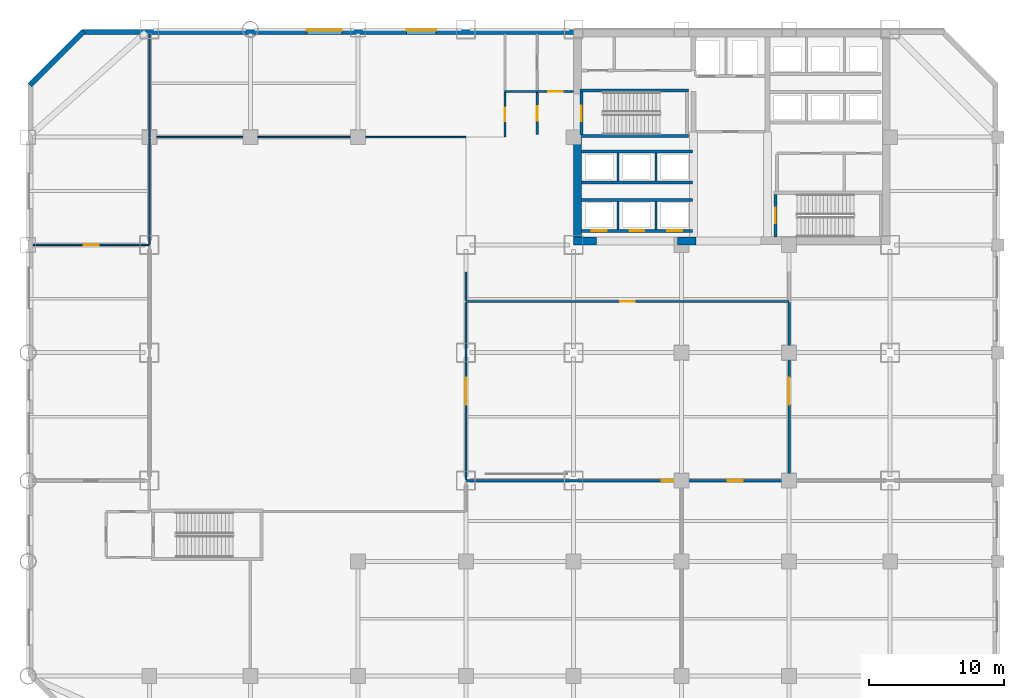
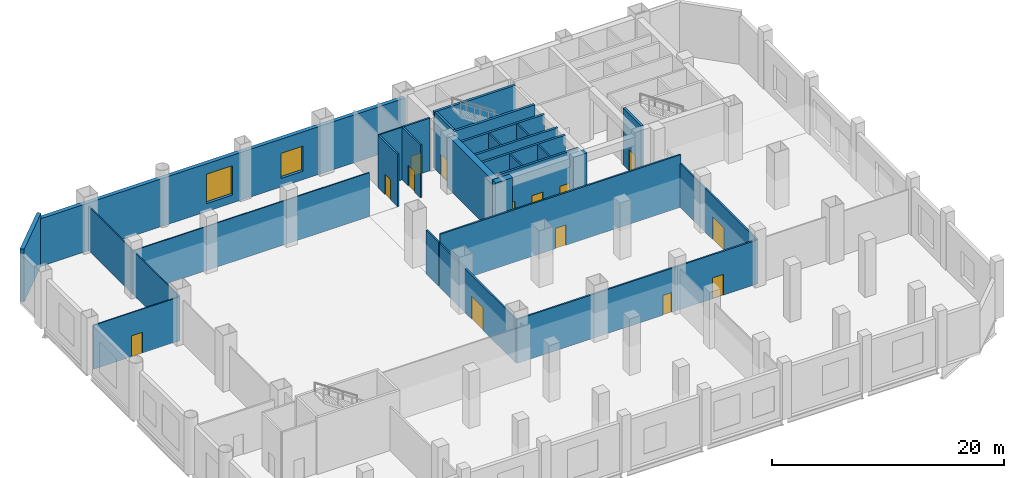
# One storey, part 5 of 11: 31 walls, 14 doors, 2 windows, 16 openings.
"""IFC4 building model written with IfcOpenShell, lengths in metres."""

from ifc_helpers import new_model, si_unit, direction, frame, frame_2d, origin, place, context, subcontext, project, spatial, rectangle, extrude, material, layer, layer_set, type_object, element, fill, save


model = new_model("IFC4")

# Units and contexts
model_context = context("Model", 3, precision=1e-05, world=origin(), true_north=direction((0.0, 1.0)))
body_context = subcontext(model_context, "Body", "Model", "MODEL_VIEW")
ifc_project = project(units=[si_unit("LENGTHUNIT", "METRE"), si_unit("AREAUNIT", "SQUARE_METRE"), si_unit("VOLUMEUNIT", "CUBIC_METRE"), si_unit("PLANEANGLEUNIT", "RADIAN"), si_unit("MASSUNIT", "GRAM", prefix="KILO")], contexts=[model_context])

# Site, building, storey
site_placement = place(None, origin())
site = spatial("IfcSite", under=ifc_project, at=site_placement, CompositionType="ELEMENT")
building_placement = place(site_placement, origin())
building = spatial("IfcBuilding", under=site, at=building_placement, Name="Qianrong Seaharbour Tower", CompositionType="ELEMENT")
storey_placement = place(building_placement, frame((0.0, 0.0, 11.39990234375)))
storey = spatial("IfcBuildingStorey", under=building, at=storey_placement, Name="L03", CompositionType="ELEMENT", Elevation=11.39990234375)

# Walls
ifc_material_1 = material(Name="Concrete C70/85", Category="concrete")
ifc_layer_1 = layer(ifc_material_1, 0.580078125)
ifc_layer_set_1 = layer_set([ifc_layer_1], Name="Concrete C70/85")
wall_type_1 = type_object("IfcWallType", Name="WALL-CORE-580", PredefinedType="SHEAR", material=ifc_layer_set_1)
wall_1_placement = place(storey_placement, frame((40.7900390625, 36.580078125, 0.0), z_axis=(0.0, 0.0, 1.0), x_axis=(0.0, 1.0, 0.0)))
element("IfcWall", 1, at=wall_1_placement, inside=storey, type_object=wall_type_1, Name="L03 West Core Shear Wall South", PredefinedType="SHEAR", context=body_context, shape_type="SweptSolid", body=[
    extrude(rectangle(XDim=7.81982421875, YDim=0.580078125, at=frame_2d((3.909912109375, 0.0))), origin(), (0.0, 0.0, 1.0), 5.550048828125),
])
wall_2_placement = place(storey_placement, frame((40.5, 36.2900390625, 0.0), z_axis=(0.0, 0.0, 1.0), x_axis=(1.0, 0.0, 0.0)))
element("IfcWall", 2, at=wall_2_placement, inside=storey, type_object=wall_type_1, Name="L03 South Core Shear Wall S1", PredefinedType="SHEAR", context=body_context, shape_type="SweptSolid", body=[
    extrude(rectangle(XDim=1.699951171875, YDim=0.580078125, at=frame_2d((0.85009765625, 0.0))), origin(), (0.0, 0.0, 1.0), 5.550048828125),
])
wall_3_placement = place(storey_placement, frame((48.199951171875, 36.2900390625, 0.0), z_axis=(0.0, 0.0, 1.0), x_axis=(1.0, 0.0, 0.0)))
element("IfcWall", 3, at=wall_3_placement, inside=storey, type_object=wall_type_1, Name="L03 South Core Shear Wall S2", PredefinedType="SHEAR", context=body_context, shape_type="SweptSolid", body=[
    extrude(rectangle(XDim=1.400146484375, YDim=0.580078125, at=frame_2d((0.7001953125, 0.0))), origin(), (0.0, 0.0, 1.0), 5.550048828125),
])

# Wall, opening, door
ifc_material_2 = material(Name="Fire-rated acoustic gypsum board partition")
ifc_layer_2 = layer(ifc_material_2, 0.1650390625)
ifc_layer_set_2 = layer_set([ifc_layer_2], Name="Fire-rated acoustic gypsum board partition")
wall_type_2 = type_object("IfcWallType", Name="WALL-CORR-PART-165", PredefinedType="PARTITIONING", material=ifc_layer_set_2)
wall_4_placement = place(storey_placement, frame((37.800048828125, 47.39990234375, 0.0), z_axis=(0.0, 0.0, 1.0), x_axis=(1.0, 0.0, 0.0)))
wall_4 = element("IfcWall", 4, at=wall_4_placement, inside=storey, type_object=wall_type_2, Name="L03 Interior Partition Wall 001", PredefinedType="PARTITIONING", context=body_context, shape_type="SweptSolid", body=[
    extrude(rectangle(XDim=2.699951171875, YDim=0.1650390625, at=frame_2d((1.35009765625, 0.0))), origin(), (0.0, 0.0, 1.0), 5.550048828125),
])
opening_1_placement = place(wall_4_placement, frame((0.824951171875, 0.0, 0.0)))
opening_1 = element("IfcOpeningElement", 5, at=opening_1_placement, cuts=wall_4, Name="Opening DC-01", PredefinedType="OPENING", context=body_context, shape_type="SweptSolid", body=[
    extrude(rectangle(XDim=1.050048828125, YDim=2.14990234375, at=frame_2d((0.52490234375, 1.074951171875))), frame((0.0, 0.092529296875, 0.0), z_axis=(0.0, -1.0, 0.0), x_axis=(1.0, 0.0, 0.0)), (0.0, 0.0, 1.0), 0.18505859375),
])
ifc_material_3 = material(Name="Acoustic timber and galvanized steel fire door assembly", Category="steel")
door_type_1 = type_object("IfcDoorType", Name="DOOR-CORR-FD60-1050x2150", OperationType="NOTDEFINED", PredefinedType="DOOR", material=ifc_material_3)
door_1_placement = place(opening_1_placement, origin())
door_1 = element("IfcDoor", 6, at=door_1_placement, inside=storey, type_object=door_type_1, Name="L03 Smokeproof Stair Vestibule ST-1 Door", OperationType="SINGLE_SWING_LEFT", OverallHeight=2.14990234375, OverallWidth=1.050048828125, PredefinedType="DOOR", context=body_context, shape_type="SweptSolid", body=[
    extrude(rectangle(XDim=1.050048828125, YDim=2.14990234375, at=frame_2d((0.52490234375, 1.074951171875))), frame((0.0, 0.02490234375, 0.0), z_axis=(0.0, -1.0, 0.0), x_axis=(1.0, 0.0, 0.0)), (0.0, 0.0, 1.0), 0.050048828125),
])
fill(opening_1, door_1)

wall_5_placement = place(storey_placement, frame((37.800048828125, 44.199951171875, 0.0), z_axis=(0.0, 0.0, 1.0), x_axis=(0.0, 1.0, 0.0)))
wall_5 = element("IfcWall", 7, at=wall_5_placement, inside=storey, type_object=wall_type_2, Name="L03 Interior Partition Wall 002", PredefinedType="PARTITIONING", context=body_context, shape_type="SweptSolid", body=[
    extrude(rectangle(XDim=3.12548828125, YDim=0.1650390625, at=frame_2d((1.562744140625, 0.0))), origin(), (0.0, 0.0, 1.0), 5.550048828125),
])
opening_2_placement = place(wall_5_placement, frame((1.03759765625, 0.0, 0.0)))
opening_2 = element("IfcOpeningElement", 8, at=opening_2_placement, cuts=wall_5, Name="Opening DC-01", PredefinedType="OPENING", context=body_context, shape_type="SweptSolid", body=[
    extrude(rectangle(XDim=1.050048828125, YDim=2.14990234375, at=frame_2d((0.52490234375, 1.074951171875))), frame((0.0, 0.092529296875, 0.0), z_axis=(0.0, -1.0, 0.0), x_axis=(1.0, 0.0, 0.0)), (0.0, 0.0, 1.0), 0.18505859375),
])
door_2_placement = place(opening_2_placement, origin())
door_2 = element("IfcDoor", 9, at=door_2_placement, inside=storey, type_object=door_type_1, Name="L03 Smokeproof Stair Vestibule ST-1 Door", OperationType="SINGLE_SWING_RIGHT", OverallHeight=2.14990234375, OverallWidth=1.050048828125, PredefinedType="DOOR", context=body_context, shape_type="SweptSolid", body=[
    extrude(rectangle(XDim=1.050048828125, YDim=2.14990234375, at=frame_2d((0.52490234375, 1.074951171875))), frame((0.0, 0.02490234375, 0.0), z_axis=(0.0, -1.0, 0.0), x_axis=(1.0, 0.0, 0.0)), (0.0, 0.0, 1.0), 0.050048828125),
])
fill(opening_2, door_2)

# Wall
wall_6_placement = place(storey_placement, frame((32.5, 31.87451171875, 0.0), z_axis=(0.0, 0.0, 1.0), x_axis=(0.0, 1.0, 0.0)))
element("IfcWall", 10, at=wall_6_placement, inside=storey, type_object=wall_type_2, Name="L03 Interior Partition Wall 017", PredefinedType="PARTITIONING", context=body_context, shape_type="SweptSolid", body=[
    extrude(rectangle(XDim=2.12548828125, YDim=0.1650390625, at=frame_2d((1.062744140625, 0.0))), origin(), (0.0, 0.0, 1.0), 4.64208984375),
])

# Wall, opening, door
wall_7_placement = place(storey_placement, frame((56.5, 31.800048828125, 0.0), z_axis=(0.0, 0.0, 1.0), x_axis=(-1.0, 0.0, 0.0)))
wall_7 = element("IfcWall", 11, at=wall_7_placement, inside=storey, type_object=wall_type_2, Name="L03 Interior Partition Wall 018", PredefinedType="PARTITIONING", context=body_context, shape_type="SweptSolid", body=[
    extrude(rectangle(XDim=24.0, YDim=0.1650390625, at=frame_2d((12.0, 0.0))), origin(), (0.0, 0.0, 1.0), 5.550048828125),
])
opening_3_placement = place(wall_7_placement, frame((11.47509765625, 0.0, 0.0)))
opening_3 = element("IfcOpeningElement", 12, at=opening_3_placement, cuts=wall_7, Name="Opening DC-01", PredefinedType="OPENING", context=body_context, shape_type="SweptSolid", body=[
    extrude(rectangle(XDim=1.050048828125, YDim=2.14990234375, at=frame_2d((0.52490234375, 1.074951171875))), frame((0.0, 0.092529296875, 0.0), z_axis=(0.0, -1.0, 0.0), x_axis=(1.0, 0.0, 0.0)), (0.0, 0.0, 1.0), 0.18505859375),
])
door_3_placement = place(opening_3_placement, origin())
door_3 = element("IfcDoor", 13, at=door_3_placement, inside=storey, type_object=door_type_1, Name="L03 Auditorium Core Corridor Door", OperationType="SINGLE_SWING_LEFT", OverallHeight=2.14990234375, OverallWidth=1.050048828125, PredefinedType="DOOR", context=body_context, shape_type="SweptSolid", body=[
    extrude(rectangle(XDim=1.050048828125, YDim=2.14990234375, at=frame_2d((0.52490234375, 1.074951171875))), frame((0.0, 0.02490234375, 0.0), z_axis=(0.0, -1.0, 0.0), x_axis=(1.0, 0.0, 0.0)), (0.0, 0.0, 1.0), 0.050048828125),
])
fill(opening_3, door_3)

wall_8_placement = place(storey_placement, frame((35.39990234375, 44.0, 0.0), z_axis=(0.0, 0.0, 1.0), x_axis=(0.0, 1.0, 0.0)))
wall_8 = element("IfcWall", 14, at=wall_8_placement, inside=storey, type_object=wall_type_2, Name="L03 Interior Partition Wall 020", PredefinedType="PARTITIONING", context=body_context, shape_type="SweptSolid", body=[
    extrude(rectangle(XDim=3.343017578125, YDim=0.1650390625, at=frame_2d((1.67138671875, 0.0))), origin(), (0.0, 0.0, 1.0), 5.550048828125),
])
opening_4_placement = place(wall_8_placement, frame((1.17138671875, 0.0, 0.0)))
opening_4 = element("IfcOpeningElement", 15, at=opening_4_placement, cuts=wall_8, Name="Opening DO-01", PredefinedType="OPENING", context=body_context, shape_type="SweptSolid", body=[
    extrude(rectangle(XDim=1.0, YDim=2.14990234375, at=frame_2d((0.5, 1.074951171875))), frame((0.0, 0.092529296875, 0.0), z_axis=(0.0, -1.0, 0.0), x_axis=(1.0, 0.0, 0.0)), (0.0, 0.0, 1.0), 0.18505859375),
])
door_type_2 = type_object("IfcDoorType", Name="DOOR-OFFICE-1000x2150", OperationType="NOTDEFINED", PredefinedType="DOOR", material=ifc_material_3)
door_4_placement = place(opening_4_placement, origin())
door_4 = element("IfcDoor", 16, at=door_4_placement, inside=storey, type_object=door_type_2, Name="L03 Auditorium Backstage Lounge Door", OperationType="SINGLE_SWING_RIGHT", OverallHeight=2.14990234375, OverallWidth=1.0, PredefinedType="DOOR", context=body_context, shape_type="SweptSolid", body=[
    extrude(rectangle(XDim=1.0, YDim=2.14990234375, at=frame_2d((0.5, 1.074951171875))), frame((0.0, 0.02490234375, 0.0), z_axis=(0.0, -1.0, 0.0), x_axis=(1.0, 0.0, 0.0)), (0.0, 0.0, 1.0), 0.050048828125),
])
fill(opening_4, door_4)

wall_9_placement = place(storey_placement, frame((32.5, 31.7255859375, 0.0), z_axis=(0.0, 0.0, 1.0), x_axis=(0.0, -1.0, 0.0)))
wall_9 = element("IfcWall", 17, at=wall_9_placement, inside=storey, type_object=wall_type_2, Name="L03 Interior Partition Wall 021", PredefinedType="PARTITIONING", context=body_context, shape_type="SweptSolid", body=[
    extrude(rectangle(XDim=13.151123046875, YDim=0.1650390625, at=frame_2d((6.57568359375, 0.0))), origin(), (0.0, 0.0, 1.0), 4.64208984375),
])
opening_5_placement = place(wall_9_placement, frame((5.575439453125, 0.0, 0.0)))
opening_5 = element("IfcOpeningElement", 18, at=opening_5_placement, cuts=wall_9, Name="Opening DA-01", PredefinedType="OPENING", context=body_context, shape_type="SweptSolid", body=[
    extrude(rectangle(XDim=2.0, YDim=2.39990234375, at=frame_2d((1.0, 1.199951171875))), frame((0.0, 0.092529296875, 0.0), z_axis=(0.0, -1.0, 0.0), x_axis=(1.0, 0.0, 0.0)), (0.0, 0.0, 1.0), 0.18505859375),
])
door_type_3 = type_object("IfcDoorType", Name="DOOR-AUD-PAIR-2000x2400", OperationType="DOUBLE_DOOR_SINGLE_SWING", PredefinedType="DOOR", material=ifc_material_3)
door_5_placement = place(opening_5_placement, origin())
door_5 = element("IfcDoor", 19, at=door_5_placement, inside=storey, type_object=door_type_3, Name="L03 Corporate Auditorium Door", OperationType="DOUBLE_DOOR_SINGLE_SWING", OverallHeight=2.39990234375, OverallWidth=2.0, PredefinedType="DOOR", context=body_context, shape_type="SweptSolid", body=[
    extrude(rectangle(XDim=2.0, YDim=2.39990234375, at=frame_2d((1.0, 1.199951171875))), frame((0.0, 0.02490234375, 0.0), z_axis=(0.0, -1.0, 0.0), x_axis=(1.0, 0.0, 0.0)), (0.0, 0.0, 1.0), 0.050048828125),
])
fill(opening_5, door_5)

wall_10_placement = place(storey_placement, frame((56.5, 31.7255859375, 0.0), z_axis=(0.0, 0.0, 1.0), x_axis=(0.0, -1.0, 0.0)))
wall_10 = element("IfcWall", 20, at=wall_10_placement, inside=storey, type_object=wall_type_2, Name="L03 Interior Partition Wall 028", PredefinedType="PARTITIONING", context=body_context, shape_type="SweptSolid", body=[
    extrude(rectangle(XDim=13.151123046875, YDim=0.1650390625, at=frame_2d((6.57568359375, 0.0))), origin(), (0.0, 0.0, 1.0), 4.64208984375),
])
opening_6_placement = place(wall_10_placement, frame((5.575439453125, 0.0, 0.0)))
opening_6 = element("IfcOpeningElement", 21, at=opening_6_placement, cuts=wall_10, Name="Opening DA-01", PredefinedType="OPENING", context=body_context, shape_type="SweptSolid", body=[
    extrude(rectangle(XDim=2.0, YDim=2.39990234375, at=frame_2d((1.0, 1.199951171875))), frame((0.0, 0.092529296875, 0.0), z_axis=(0.0, -1.0, 0.0), x_axis=(1.0, 0.0, 0.0)), (0.0, 0.0, 1.0), 0.18505859375),
])
door_6_placement = place(opening_6_placement, origin())
door_6 = element("IfcDoor", 22, at=door_6_placement, inside=storey, type_object=door_type_3, Name="L03 Harbour Symposium Gallery Door", OperationType="DOUBLE_DOOR_SINGLE_SWING", OverallHeight=2.39990234375, OverallWidth=2.0, PredefinedType="DOOR", context=body_context, shape_type="SweptSolid", body=[
    extrude(rectangle(XDim=2.0, YDim=2.39990234375, at=frame_2d((1.0, 1.199951171875))), frame((0.0, 0.02490234375, 0.0), z_axis=(0.0, -1.0, 0.0), x_axis=(1.0, 0.0, 0.0)), (0.0, 0.0, 1.0), 0.050048828125),
])
fill(opening_6, door_6)

wall_11_placement = place(storey_placement, frame((48.5, 18.5, 0.0), z_axis=(0.0, 0.0, 1.0), x_axis=(-1.0, 0.0, 0.0)))
wall_11 = element("IfcWall", 23, at=wall_11_placement, inside=storey, type_object=wall_type_2, Name="L03 Interior Partition Wall 029", PredefinedType="PARTITIONING", context=body_context, shape_type="SweptSolid", body=[
    extrude(rectangle(XDim=16.0, YDim=0.1650390625, at=frame_2d((8.0, 0.0))), origin(), (0.0, 0.0, 1.0), 4.64208984375),
])
opening_7_placement = place(wall_11_placement, frame((0.61474609375, 0.0, 0.0)))
opening_7 = element("IfcOpeningElement", 24, at=opening_7_placement, cuts=wall_11, Name="Opening DU-01", PredefinedType="OPENING", context=body_context, shape_type="SweptSolid", body=[
    extrude(rectangle(XDim=0.860107421875, YDim=2.10009765625, at=frame_2d((0.43017578125, 1.050048828125))), frame((0.0, 0.092529296875, 0.0), z_axis=(0.0, -1.0, 0.0), x_axis=(1.0, 0.0, 0.0)), (0.0, 0.0, 1.0), 0.18505859375),
])
door_type_4 = type_object("IfcDoorType", Name="DOOR-UTIL-860x2100", OperationType="NOTDEFINED", PredefinedType="DOOR", material=ifc_material_3)
door_7_placement = place(opening_7_placement, origin())
door_7 = element("IfcDoor", 25, at=door_7_placement, inside=storey, type_object=door_type_4, Name="L03 Reception Salon Door", OperationType="SINGLE_SWING_LEFT", OverallHeight=2.10009765625, OverallWidth=0.860107421875, PredefinedType="DOOR", context=body_context, shape_type="SweptSolid", body=[
    extrude(rectangle(XDim=0.860107421875, YDim=2.10009765625, at=frame_2d((0.43017578125, 1.050048828125))), frame((0.0, 0.02490234375, 0.0), z_axis=(0.0, -1.0, 0.0), x_axis=(1.0, 0.0, 0.0)), (0.0, 0.0, 1.0), 0.050048828125),
])
fill(opening_7, door_7)

wall_12_placement = place(storey_placement, frame((56.5, 18.5, 0.0), z_axis=(0.0, 0.0, 1.0), x_axis=(-1.0, 0.0, 0.0)))
wall_12 = element("IfcWall", 26, at=wall_12_placement, inside=storey, type_object=wall_type_2, Name="L03 Interior Partition Wall 030", PredefinedType="PARTITIONING", context=body_context, shape_type="SweptSolid", body=[
    extrude(rectangle(XDim=8.0, YDim=0.1650390625, at=frame_2d((4.0, 0.0))), origin(), (0.0, 0.0, 1.0), 4.64208984375),
])
opening_8_placement = place(wall_12_placement, frame((3.449951171875, 0.0, 0.0)))
opening_8 = element("IfcOpeningElement", 27, at=opening_8_placement, cuts=wall_12, Name="Opening DM-01", PredefinedType="OPENING", context=body_context, shape_type="SweptSolid", body=[
    extrude(rectangle(XDim=1.10009765625, YDim=2.199951171875, at=frame_2d((0.550048828125, 1.10009765625))), frame((0.0, 0.092529296875, 0.0), z_axis=(0.0, -1.0, 0.0), x_axis=(1.0, 0.0, 0.0)), (0.0, 0.0, 1.0), 0.18505859375),
])
door_type_5 = type_object("IfcDoorType", Name="DOOR-MEET-1100x2200", OperationType="NOTDEFINED", PredefinedType="DOOR", material=ifc_material_3)
door_8_placement = place(opening_8_placement, origin())
door_8 = element("IfcDoor", 28, at=door_8_placement, inside=storey, type_object=door_type_5, Name="L03 Chairman Reception Suite Door", OperationType="SINGLE_SWING_RIGHT", OverallHeight=2.199951171875, OverallWidth=1.10009765625, PredefinedType="DOOR", context=body_context, shape_type="SweptSolid", body=[
    extrude(rectangle(XDim=1.10009765625, YDim=2.199951171875, at=frame_2d((0.550048828125, 1.10009765625))), frame((0.0, 0.02490234375, 0.0), z_axis=(0.0, -1.0, 0.0), x_axis=(1.0, 0.0, 0.0)), (0.0, 0.0, 1.0), 0.050048828125),
])
fill(opening_8, door_8)

# Walls
ifc_material_4 = material(Name="Demountable aluminium-framed acoustic office partition", Category="aluminium")
ifc_layer_3 = layer(ifc_material_4, 0.110107421875)
ifc_layer_set_3 = layer_set([ifc_layer_3], Name="Demountable aluminium-framed acoustic office partition")
wall_type_3 = type_object("IfcWallType", Name="WALL-DEMOUNT-110", PredefinedType="MOVABLE", material=ifc_layer_set_3)
wall_13_placement = place(storey_placement, frame((9.0, 36.047119140625, 0.0), z_axis=(0.0, 0.0, 1.0), x_axis=(0.0, 1.0, 0.0)))
element("IfcWall", 29, at=wall_13_placement, inside=storey, type_object=wall_type_3, Name="L03 Interior Partition Wall 023", PredefinedType="MOVABLE", context=body_context, shape_type="SweptSolid", body=[
    extrude(rectangle(XDim=7.90576171875, YDim=0.110107421875, at=frame_2d((3.952880859375, 0.0))), origin(), (0.0, 0.0, 1.0), 4.64208984375),
])
wall_14_placement = place(storey_placement, frame((9.0, 44.0, 0.0), z_axis=(0.0, 0.0, 1.0), x_axis=(1.0, 0.0, 0.0)))
element("IfcWall", 30, at=wall_14_placement, inside=storey, type_object=wall_type_3, Name="L03 Interior Partition Wall 024", PredefinedType="MOVABLE", context=body_context, shape_type="SweptSolid", body=[
    extrude(rectangle(XDim=23.5, YDim=0.110107421875, at=frame_2d((11.75, 0.0))), origin(), (0.0, 0.0, 1.0), 4.64208984375),
])

# Wall, opening, door
wall_15_placement = place(storey_placement, frame((0.3720703125, 36.0, 0.0), z_axis=(0.0, 0.0, 1.0), x_axis=(1.0, 0.0, 0.0)))
wall_15 = element("IfcWall", 31, at=wall_15_placement, inside=storey, type_object=wall_type_3, Name="L03 Interior Partition Wall 031", PredefinedType="MOVABLE", context=body_context, shape_type="SweptSolid", body=[
    extrude(rectangle(XDim=8.6279296875, YDim=0.110107421875, at=frame_2d((4.31396484375, 0.0))), origin(), (0.0, 0.0, 1.0), 4.64208984375),
])
opening_9_placement = place(wall_15_placement, frame((3.763916015625, 0.0, 0.0)))
opening_9 = element("IfcOpeningElement", 32, at=opening_9_placement, cuts=wall_15, Name="Opening DM-01", PredefinedType="OPENING", context=body_context, shape_type="SweptSolid", body=[
    extrude(rectangle(XDim=1.10009765625, YDim=2.199951171875, at=frame_2d((0.550048828125, 1.10009765625))), frame((0.0, 0.06494140625, 0.0), z_axis=(0.0, -1.0, 0.0), x_axis=(1.0, 0.0, 0.0)), (0.0, 0.0, 1.0), 0.130126953125),
])
door_9_placement = place(opening_9_placement, origin())
door_9 = element("IfcDoor", 33, at=door_9_placement, inside=storey, type_object=door_type_5, Name="L03 Speakers Green Room Door", OperationType="SINGLE_SWING_LEFT", OverallHeight=2.199951171875, OverallWidth=1.10009765625, PredefinedType="DOOR", context=body_context, shape_type="SweptSolid", body=[
    extrude(rectangle(XDim=1.10009765625, YDim=2.199951171875, at=frame_2d((0.550048828125, 1.10009765625))), frame((0.0, 0.02490234375, 0.0), z_axis=(0.0, -1.0, 0.0), x_axis=(1.0, 0.0, 0.0)), (0.0, 0.0, 1.0), 0.050048828125),
])
fill(opening_9, door_9)

# Walls
wall_16_placement = place(storey_placement, frame((9.0, 51.6279296875, 0.0), z_axis=(0.0, 0.0, 1.0), x_axis=(0.0, -1.0, 0.0)))
element("IfcWall", 34, at=wall_16_placement, inside=storey, type_object=wall_type_3, Name="L03 Interior Partition Wall 033", PredefinedType="MOVABLE", context=body_context, shape_type="SweptSolid", body=[
    extrude(rectangle(XDim=7.580810546875, YDim=0.110107421875, at=frame_2d((3.79052734375, 0.0))), origin(), (0.0, 0.0, 1.0), 4.64208984375),
])
ifc_material_5 = material(Name="Natural honed granite dimension stone", Category="masonry")
ifc_layer_4 = layer(ifc_material_5, 0.3798828125)
ifc_layer_set_4 = layer_set([ifc_layer_4], Name="Natural honed granite dimension stone")
wall_type_4 = type_object("IfcWallType", Name="WALL-EXT-GRANITE-380", PredefinedType="SOLIDWALL", material=ifc_layer_set_4)
wall_17_placement = place(storey_placement, frame((0.13427734375, 47.86572265625, 0.0), z_axis=(0.0, 0.0, 1.0), x_axis=(0.707106781187, 0.707106781187, 0.0)))
element("IfcWall", 35, at=wall_17_placement, inside=storey, type_object=wall_type_4, Name="L03 Exterior Masonry Facade Wall E01", PredefinedType="SOLIDWALL", context=body_context, shape_type="SweptSolid", body=[
    extrude(rectangle(XDim=5.65673828125, YDim=0.3798828125, at=frame_2d((2.828369140625, 0.0))), origin(), (0.0, 0.0, 1.0), 5.550048828125),
])

# Wall, openings, windows
wall_18_placement = place(storey_placement, frame((4.0, 51.81005859375, 0.0), z_axis=(0.0, 0.0, 1.0), x_axis=(1.0, 0.0, 0.0)))
wall_18 = element("IfcWall", 36, at=wall_18_placement, inside=storey, type_object=wall_type_4, Name="L03 Exterior Masonry Facade Wall NORTH_WING", PredefinedType="SOLIDWALL", context=body_context, shape_type="SweptSolid", body=[
    extrude(rectangle(XDim=36.52001953125, YDim=0.3798828125, at=frame_2d((18.260009765625, 0.0))), origin(), (0.0, 0.0, 1.0), 5.050048828125),
])
opening_10_placement = place(wall_18_placement, frame((16.699951171875, 0.0, 0.85009765625)))
opening_10 = element("IfcOpeningElement", 37, at=opening_10_placement, cuts=wall_18, Name="Opening WN-11", PredefinedType="OPENING", context=body_context, shape_type="SweptSolid", body=[
    extrude(rectangle(XDim=2.60009765625, YDim=3.10009765625, at=frame_2d((1.300048828125, 1.550048828125))), frame((0.0, 0.199951171875, 0.0), z_axis=(0.0, -1.0, 0.0), x_axis=(1.0, 0.0, 0.0)), (0.0, 0.0, 1.0), 0.39990234375),
])
opening_11_placement = place(wall_18_placement, frame((24.10009765625, 0.0, 0.89990234375)))
opening_11 = element("IfcOpeningElement", 38, at=opening_11_placement, cuts=wall_18, Name="Opening WN-10", PredefinedType="OPENING", context=body_context, shape_type="SweptSolid", body=[
    extrude(rectangle(XDim=2.199951171875, YDim=2.64990234375, at=frame_2d((1.10009765625, 1.324951171875))), frame((0.0, 0.199951171875, 0.0), z_axis=(0.0, -1.0, 0.0), x_axis=(1.0, 0.0, 0.0)), (0.0, 0.0, 1.0), 0.39990234375),
])
ifc_material_6 = material(Name="Insulated low-e double glazing in thermally broken aluminium 6063-T6 frame", Category="aluminium")
window_type_1 = type_object("IfcWindowType", Name="WIN-POD-2600x3100", PartitioningType="TRIPLE_PANEL_VERTICAL", PredefinedType="WINDOW", material=ifc_material_6)
window_1_placement = place(opening_10_placement, origin())
window_1 = element("IfcWindow", 39, at=window_1_placement, inside=storey, type_object=window_type_1, Name="L03 Deep-Set Punched Window 02.05", OverallHeight=3.10009765625, OverallWidth=2.60009765625, PartitioningType="TRIPLE_PANEL_VERTICAL", PredefinedType="WINDOW", context=body_context, shape_type="SweptSolid", body=[
    extrude(rectangle(XDim=2.60009765625, YDim=3.10009765625, at=frame_2d((1.300048828125, 1.550048828125))), frame((0.0, 0.150146484375, 0.0), z_axis=(0.0, -1.0, 0.0), x_axis=(1.0, 0.0, 0.0)), (0.0, 0.0, 1.0), 0.06005859375),
])
fill(opening_10, window_1)
window_type_2 = type_object("IfcWindowType", Name="WIN-PUNCH-2200x2650", PartitioningType="TRIPLE_PANEL_VERTICAL", PredefinedType="WINDOW", material=ifc_material_6)
window_2_placement = place(opening_11_placement, origin())
window_2 = element("IfcWindow", 40, at=window_2_placement, inside=storey, type_object=window_type_2, Name="L03 Deep-Set Punched Window 02.07", OverallHeight=2.64990234375, OverallWidth=2.199951171875, PartitioningType="TRIPLE_PANEL_VERTICAL", PredefinedType="WINDOW", context=body_context, shape_type="SweptSolid", body=[
    extrude(rectangle(XDim=2.199951171875, YDim=2.64990234375, at=frame_2d((1.10009765625, 1.324951171875))), frame((0.0, 0.150146484375, 0.0), z_axis=(0.0, -1.0, 0.0), x_axis=(1.0, 0.0, 0.0)), (0.0, 0.0, 1.0), 0.06005859375),
])
fill(opening_11, window_2)

# Walls
ifc_material_7 = material(Name="Fire-rated gypsum board on steel studs", Category="steel")
ifc_layer_5 = layer(ifc_material_7, 0.14990234375)
ifc_layer_set_5 = layer_set([ifc_layer_5], Name="Fire-rated gypsum board on steel studs")
wall_type_5 = type_object("IfcWallType", Name="WALL-SHAFT-DIV-150", PredefinedType="PARTITIONING", material=ifc_layer_set_5)
for number, where, z_axis, x_axis, name in (
    (41, (43.800048828125, 37.159912109375, 0.0), (0.0, 0.0, 1.0), (0.0, 1.0, 0.0), "L03 P1 Lift Hoistway Divider 2"),
    (42, (46.60009765625, 37.159912109375, 0.0), (0.0, 0.0, 1.0), (0.0, 1.0, 0.0), "L03 P1 Lift Hoistway Divider 3"),
    (43, (43.800048828125, 40.760009765625, 0.0), (0.0, 0.0, 1.0), (0.0, 1.0, 0.0), "L03 P2 Lift Hoistway Divider 2"),
    (44, (46.60009765625, 40.760009765625, 0.0), (0.0, 0.0, 1.0), (0.0, 1.0, 0.0), "L03 P2 Lift Hoistway Divider 3"),
):
    element("IfcWall", number, at=place(storey_placement, frame(where, z_axis=z_axis, x_axis=x_axis)), inside=storey, type_object=wall_type_5, Name=name, PredefinedType="PARTITIONING", context=body_context, shape_type="SweptSolid", body=[
        extrude(rectangle(XDim=2.080078125, YDim=0.14990234375, at=frame_2d((1.0400390625, 0.0))), origin(), (0.0, 0.0, 1.0), 5.550048828125),
    ])

# Wall, openings, doors
ifc_layer_6 = layer(ifc_material_7, 0.219970703125)
ifc_layer_set_6 = layer_set([ifc_layer_6], Name="Fire-rated gypsum board on steel studs")
wall_type_6 = type_object("IfcWallType", Name="WALL-SHAFT-GYP220", PredefinedType="PARTITIONING", material=ifc_layer_set_6)
wall_19_placement = place(storey_placement, frame((49.320068359375, 37.050048828125, 0.0), z_axis=(0.0, 0.0, 1.0), x_axis=(-1.0, 0.0, 0.0)))
wall_19 = element("IfcWall", 45, at=wall_19_placement, inside=storey, type_object=wall_type_6, Name="L03 P1 Lift Hoistway Front Wall", PredefinedType="PARTITIONING", context=body_context, shape_type="SweptSolid", body=[
    extrude(rectangle(XDim=8.239990234375, YDim=0.219970703125, at=frame_2d((4.1201171875, 0.0))), origin(), (0.0, 0.0, 1.0), 5.550048828125),
])
opening_12_placement = place(wall_19_placement, frame((6.3701171875, 0.0, 0.0)))
opening_12 = element("IfcOpeningElement", 46, at=opening_12_placement, cuts=wall_19, Name="Opening LD-02", PredefinedType="OPENING", context=body_context, shape_type="SweptSolid", body=[
    extrude(rectangle(XDim=1.10009765625, YDim=2.199951171875, at=frame_2d((0.550048828125, 1.10009765625))), frame((0.0, 0.1201171875, 0.0), z_axis=(0.0, -1.0, 0.0), x_axis=(1.0, 0.0, 0.0)), (0.0, 0.0, 1.0), 0.239990234375),
])
opening_13_placement = place(wall_19_placement, frame((3.570068359375, 0.0, 0.0)))
opening_13 = element("IfcOpeningElement", 47, at=opening_13_placement, cuts=wall_19, Name="Opening LD-02", PredefinedType="OPENING", context=body_context, shape_type="SweptSolid", body=[
    extrude(rectangle(XDim=1.10009765625, YDim=2.199951171875, at=frame_2d((0.550048828125, 1.10009765625))), frame((0.0, 0.1201171875, 0.0), z_axis=(0.0, -1.0, 0.0), x_axis=(1.0, 0.0, 0.0)), (0.0, 0.0, 1.0), 0.239990234375),
])
opening_14_placement = place(wall_19_placement, frame((0.77001953125, 0.0, 0.0)))
opening_14 = element("IfcOpeningElement", 48, at=opening_14_placement, cuts=wall_19, Name="Opening LD-02", PredefinedType="OPENING", context=body_context, shape_type="SweptSolid", body=[
    extrude(rectangle(XDim=1.10009765625, YDim=2.199951171875, at=frame_2d((0.550048828125, 1.10009765625))), frame((0.0, 0.1201171875, 0.0), z_axis=(0.0, -1.0, 0.0), x_axis=(1.0, 0.0, 0.0)), (0.0, 0.0, 1.0), 0.239990234375),
])
ifc_material_8 = material(Name="Stainless steel SUS316L bi-parting lift landing door", Category="steel")
door_type_6 = type_object("IfcDoorType", Name="DOOR-LIFT-PASS-1100x2200", OperationType="DOUBLE_DOOR_SLIDING", PredefinedType="DOOR", material=ifc_material_8)
door_10_placement = place(opening_12_placement, origin())
door_10 = element("IfcDoor", 49, at=door_10_placement, inside=storey, type_object=door_type_6, Name="L03 PL-1A Lift Landing Door", OperationType="DOUBLE_DOOR_SLIDING", OverallHeight=2.199951171875, OverallWidth=1.10009765625, PredefinedType="DOOR", context=body_context, shape_type="SweptSolid", body=[
    extrude(rectangle(XDim=1.10009765625, YDim=2.199951171875, at=frame_2d((0.550048828125, 1.10009765625))), frame((0.0, 0.02490234375, 0.0), z_axis=(0.0, -1.0, 0.0), x_axis=(1.0, 0.0, 0.0)), (0.0, 0.0, 1.0), 0.050048828125),
])
fill(opening_12, door_10)
door_11_placement = place(opening_13_placement, origin())
door_11 = element("IfcDoor", 50, at=door_11_placement, inside=storey, type_object=door_type_6, Name="L03 PL-1B Lift Landing Door", OperationType="DOUBLE_DOOR_SLIDING", OverallHeight=2.199951171875, OverallWidth=1.10009765625, PredefinedType="DOOR", context=body_context, shape_type="SweptSolid", body=[
    extrude(rectangle(XDim=1.10009765625, YDim=2.199951171875, at=frame_2d((0.550048828125, 1.10009765625))), frame((0.0, 0.02490234375, 0.0), z_axis=(0.0, -1.0, 0.0), x_axis=(1.0, 0.0, 0.0)), (0.0, 0.0, 1.0), 0.050048828125),
])
fill(opening_13, door_11)
door_12_placement = place(opening_14_placement, origin())
door_12 = element("IfcDoor", 51, at=door_12_placement, inside=storey, type_object=door_type_6, Name="L03 PL-1C Lift Landing Door", OperationType="DOUBLE_DOOR_SLIDING", OverallHeight=2.199951171875, OverallWidth=1.10009765625, PredefinedType="DOOR", context=body_context, shape_type="SweptSolid", body=[
    extrude(rectangle(XDim=1.10009765625, YDim=2.199951171875, at=frame_2d((0.550048828125, 1.10009765625))), frame((0.0, 0.02490234375, 0.0), z_axis=(0.0, -1.0, 0.0), x_axis=(1.0, 0.0, 0.0)), (0.0, 0.0, 1.0), 0.050048828125),
])
fill(opening_14, door_12)

# Walls
for number, where, z_axis, x_axis, name in (
    (52, (41.080078125, 39.35009765625, 0.0), (0.0, 0.0, 1.0), (1.0, 0.0, 0.0), "L03 P1 Lift Hoistway Back Wall"),
    (53, (49.320068359375, 40.64990234375, 0.0), (0.0, 0.0, 1.0), (-1.0, 0.0, 0.0), "L03 P2 Lift Hoistway Front Wall"),
    (54, (41.080078125, 42.949951171875, 0.0), (0.0, 0.0, 1.0), (1.0, 0.0, 0.0), "L03 P2 Lift Hoistway Back Wall"),
):
    element("IfcWall", number, at=place(storey_placement, frame(where, z_axis=z_axis, x_axis=x_axis)), inside=storey, type_object=wall_type_6, Name=name, PredefinedType="PARTITIONING", context=body_context, shape_type="SweptSolid", body=[
        extrude(rectangle(XDim=8.239990234375, YDim=0.219970703125, at=frame_2d((4.1201171875, 0.0))), origin(), (0.0, 0.0, 1.0), 5.550048828125),
    ])
ifc_material_9 = material(Name="Concrete C50/60", Category="concrete")
ifc_layer_7 = layer(ifc_material_9, 0.239990234375)
ifc_layer_set_7 = layer_set([ifc_layer_7], Name="Concrete C50/60")
wall_type_7 = type_object("IfcWallType", Name="WALL-SHAFT-RC240", PredefinedType="SOLIDWALL", material=ifc_layer_set_7)
for number, where, z_axis, x_axis, name in (
    (55, (40.9599609375, 47.469970703125, 0.0), (0.0, 0.0, 1.0), (1.0, 0.0, 0.0), "L03 ST-1 Structural Stair Core Wall N"),
    (56, (49.0400390625, 44.080078125, 0.0), (0.0, 0.0, 1.0), (-1.0, 0.0, 0.0), "L03 ST-1 Structural Stair Core Wall S"),
):
    element("IfcWall", number, at=place(storey_placement, frame(where, z_axis=z_axis, x_axis=x_axis)), inside=storey, type_object=wall_type_7, Name=name, PredefinedType="SOLIDWALL", context=body_context, shape_type="SweptSolid", body=[
        extrude(rectangle(XDim=8.080078125, YDim=0.239990234375, at=frame_2d((4.0400390625, 0.0))), origin(), (0.0, 0.0, 1.0), 6.0),
    ])

# Wall, opening, door
wall_20_placement = place(storey_placement, frame((41.080078125, 47.35009765625, 0.0), z_axis=(0.0, 0.0, 1.0), x_axis=(0.0, -1.0, 0.0)))
wall_20 = element("IfcWall", 57, at=wall_20_placement, inside=storey, type_object=wall_type_7, Name="L03 ST-1 Structural Stair Core Wall W", PredefinedType="SOLIDWALL", context=body_context, shape_type="SweptSolid", body=[
    extrude(rectangle(XDim=3.150146484375, YDim=0.239990234375, at=frame_2d((1.5751953125, 0.0))), origin(), (0.0, 0.0, 1.0), 6.0),
])
opening_15_placement = place(wall_20_placement, frame((1.0, 0.0, 0.0)))
opening_15 = element("IfcOpeningElement", 58, at=opening_15_placement, cuts=wall_20, Name="Opening SD-01", PredefinedType="OPENING", context=body_context, shape_type="SweptSolid", body=[
    extrude(rectangle(XDim=1.14990234375, YDim=2.199951171875, at=frame_2d((0.574951171875, 1.10009765625))), frame((0.0, 0.1298828125, 0.0), z_axis=(0.0, -1.0, 0.0), x_axis=(1.0, 0.0, 0.0)), (0.0, 0.0, 1.0), 0.260009765625),
])
door_type_7 = type_object("IfcDoorType", Name="DOOR-STAIR-FD60-1150x2200", OperationType="NOTDEFINED", PredefinedType="DOOR", material=ifc_material_3)
door_13_placement = place(opening_15_placement, origin())
door_13 = element("IfcDoor", 59, at=door_13_placement, inside=storey, type_object=door_type_7, Name="L03 ST-1 Protected Stair Door", OperationType="SINGLE_SWING_RIGHT", OverallHeight=2.199951171875, OverallWidth=1.14990234375, PredefinedType="DOOR", context=body_context, shape_type="SweptSolid", body=[
    extrude(rectangle(XDim=1.14990234375, YDim=2.199951171875, at=frame_2d((0.574951171875, 1.10009765625))), frame((0.0, 0.02490234375, 0.0), z_axis=(0.0, -1.0, 0.0), x_axis=(1.0, 0.0, 0.0)), (0.0, 0.0, 1.0), 0.050048828125),
])
fill(opening_15, door_13)

wall_21_placement = place(storey_placement, frame((55.47998046875, 39.75, 0.0), z_axis=(0.0, 0.0, 1.0), x_axis=(0.0, -1.0, 0.0)))
wall_21 = element("IfcWall", 60, at=wall_21_placement, inside=storey, type_object=wall_type_7, Name="L03 ST-2 Structural Stair Core Wall W", PredefinedType="SOLIDWALL", context=body_context, shape_type="SweptSolid", body=[
    extrude(rectangle(XDim=3.14990234375, YDim=0.239990234375, at=frame_2d((1.574951171875, 0.0))), origin(), (0.0, 0.0, 1.0), 6.0),
])
opening_16_placement = place(wall_21_placement, frame((1.0, 0.0, 0.0)))
opening_16 = element("IfcOpeningElement", 61, at=opening_16_placement, cuts=wall_21, Name="Opening SD-01", PredefinedType="OPENING", context=body_context, shape_type="SweptSolid", body=[
    extrude(rectangle(XDim=1.14990234375, YDim=2.199951171875, at=frame_2d((0.574951171875, 1.10009765625))), frame((0.0, 0.1298828125, 0.0), z_axis=(0.0, -1.0, 0.0), x_axis=(1.0, 0.0, 0.0)), (0.0, 0.0, 1.0), 0.260009765625),
])
door_14_placement = place(opening_16_placement, origin())
door_14 = element("IfcDoor", 62, at=door_14_placement, inside=storey, type_object=door_type_7, Name="L03 ST-2 Protected Stair Door", OperationType="SINGLE_SWING_RIGHT", OverallHeight=2.199951171875, OverallWidth=1.14990234375, PredefinedType="DOOR", context=body_context, shape_type="SweptSolid", body=[
    extrude(rectangle(XDim=1.14990234375, YDim=2.199951171875, at=frame_2d((0.574951171875, 1.10009765625))), frame((0.0, 0.02490234375, 0.0), z_axis=(0.0, -1.0, 0.0), x_axis=(1.0, 0.0, 0.0)), (0.0, 0.0, 1.0), 0.050048828125),
])
fill(opening_16, door_14)

# Wall
ifc_material_10 = material(Name="Water-resistant cement board sanitary partition")
ifc_layer_8 = layer(ifc_material_10, 0.1298828125)
ifc_layer_set_8 = layer_set([ifc_layer_8], Name="Water-resistant cement board sanitary partition")
wall_type_8 = type_object("IfcWallType", Name="WALL-WET-PART-130", PredefinedType="PARTITIONING", material=ifc_layer_set_8)
wall_22_placement = place(storey_placement, frame((37.800048828125, 47.39990234375, 0.0), z_axis=(0.0, 0.0, 1.0), x_axis=(-1.0, 0.0, 0.0)))
element("IfcWall", 63, at=wall_22_placement, inside=storey, type_object=wall_type_8, Name="L03 Interior Partition Wall 004", PredefinedType="PARTITIONING", context=body_context, shape_type="SweptSolid", body=[
    extrude(rectangle(XDim=2.400146484375, YDim=0.1298828125, at=frame_2d((1.2001953125, 0.0))), origin(), (0.0, 0.0, 1.0), 5.550048828125),
])

save(model, "model.ifc")
